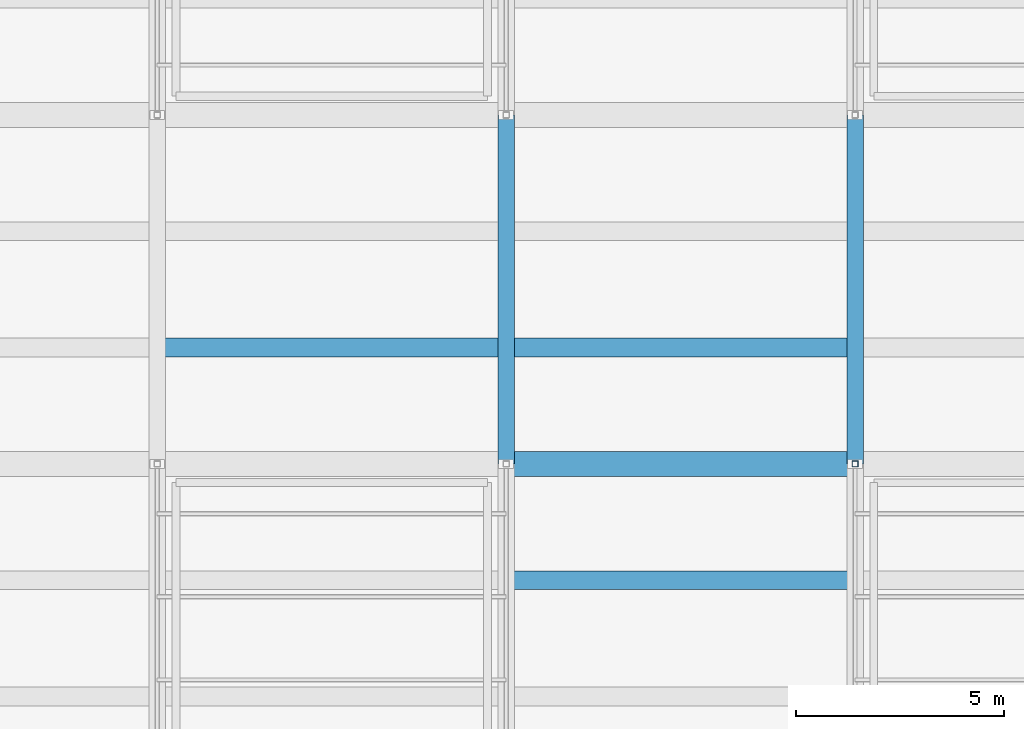
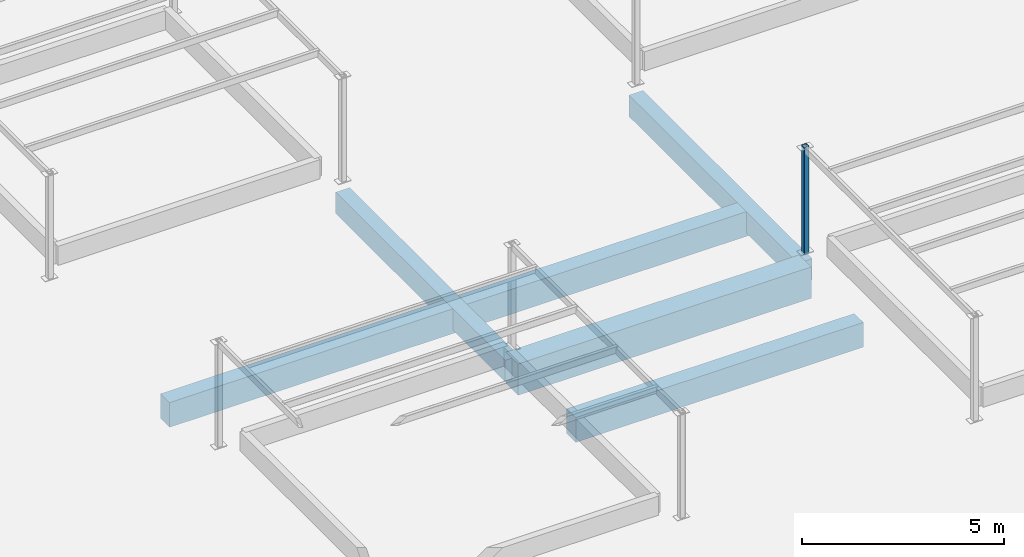
# One storey, part 18 of 129: 6 beams, 1 member.
"""IFC4 building model written with IfcOpenShell, lengths in metres."""

from ifc_helpers import new_model, si_unit, direction, frame, origin, origin_2d, place, context, subcontext, project, spatial, rectangle, hollow_rectangle, extrude, material, material_profile, profile_set, type_object, element, save


model = new_model("IFC4")

# Units and contexts
model_context = context("Model", 3, precision=1e-05, world=origin(), true_north=direction((0.0, 1.0)))
body_context = subcontext(model_context, "Body", "Model", "MODEL_VIEW")
ifc_project = project(units=[si_unit("LENGTHUNIT", "METRE"), si_unit("AREAUNIT", "SQUARE_METRE"), si_unit("VOLUMEUNIT", "CUBIC_METRE"), si_unit("PLANEANGLEUNIT", "RADIAN"), si_unit("MASSUNIT", "GRAM", prefix="KILO")], contexts=[model_context])

# Site, building, storey
site_placement = place(None, origin())
site = spatial("IfcSite", under=ifc_project, at=site_placement, CompositionType="ELEMENT")
building_placement = place(site_placement, origin())
building = spatial("IfcBuilding", under=site, at=building_placement, Name="Varnapada Polytechnic", CompositionType="ELEMENT")
storey_placement = place(building_placement, origin())
storey = spatial("IfcBuildingStorey", under=building, at=storey_placement, Name="L00", CompositionType="ELEMENT", Elevation=0.0)

# Beams
ifc_material_1 = material(Name="Concrete C40/50", Category="concrete")
ifc_material_profile_1 = material_profile(ifc_material_1, rectangle(XDim=0.449951171875, YDim=0.75, at=origin_2d()), Name="RC 450x750")
ifc_profile_set_1 = profile_set([ifc_material_profile_1], Name="Concrete C40/50")
beam_type_1 = type_object("IfcBeamType", Name="Basement/podium secondary beam BB-01 (RC 450x750)", PredefinedType="BEAM", material=ifc_profile_set_1)
beam_1_placement = place(storey_placement, frame((92.47998046875, 61.60009765625, -0.655029296875), z_axis=(1.0, 0.0, 0.0), x_axis=(0.0, 1.0, 0.0)))
element("IfcBeam", 1, at=beam_1_placement, inside=storey, type_object=beam_type_1, Name="L00 floor joist 12/8.1", PredefinedType="BEAM", context=body_context, shape_type="SweptSolid", body=[
    extrude(rectangle(XDim=0.449951171875, YDim=0.75, at=origin_2d()), origin(), (0.0, 0.0, 1.0), 8.239990234375),
])
for number, where, z_axis, x_axis, name in (
    (2, (100.8798828125, 56.0, -0.655029296875), (1.0, 0.0, 0.0), (0.0, 1.0, 0.0), "L00 floor joist 13/7.2"),
    (3, (100.8798828125, 61.60009765625, -0.655029296875), (1.0, 0.0, 0.0), (0.0, 1.0, 0.0), "L00 floor joist 13/8.1"),
):
    element("IfcBeam", number, at=place(storey_placement, frame(where, z_axis=z_axis, x_axis=x_axis)), inside=storey, type_object=beam_type_1, Name=name, PredefinedType="BEAM", context=body_context, shape_type="SweptSolid", body=[
        extrude(rectangle(XDim=0.449951171875, YDim=0.75, at=origin_2d()), origin(), (0.0, 0.0, 1.0), 8.240234375),
    ])
ifc_material_profile_2 = material_profile(ifc_material_1, rectangle(XDim=0.39990234375, YDim=0.64990234375, at=origin_2d()), Name="RC 400x650")
ifc_profile_set_2 = profile_set([ifc_material_profile_2], Name="Concrete C40/50")
beam_type_2 = type_object("IfcBeamType", Name="Podium framing beam BB-02 (RC 400x650)", PredefinedType="BEAM", material=ifc_profile_set_2)
for number, where, z_axis, x_axis, name in (
    (4, (100.800048828125, 58.800048828125, -0.60498046875), (0.0, 1.0, 0.0), (-1.0, 0.0, 0.0), "L00 beam Y 8-9 at X13"),
    (5, (109.199951171875, 58.800048828125, -0.60498046875), (0.0, 1.0, 0.0), (-1.0, 0.0, 0.0), "L00 beam Y 8-9 at X14"),
):
    element("IfcBeam", number, at=place(storey_placement, frame(where, z_axis=z_axis, x_axis=x_axis)), inside=storey, type_object=beam_type_2, Name=name, PredefinedType="BEAM", context=body_context, shape_type="SweptSolid", body=[
        extrude(rectangle(XDim=0.39990234375, YDim=0.64990234375, at=origin_2d()), origin(), (0.0, 0.0, 1.0), 8.39990234375),
    ])

# Member
ifc_material_2 = material(Name="Steel S355", Category="steel")
ifc_material_profile_3 = material_profile(ifc_material_2, hollow_rectangle(XDim=0.14990234375, YDim=0.14990234375, WallThickness=0.00634765625, InnerFilletRadius=0.006103515625, OuterFilletRadius=0.011962890625, at=origin_2d()), Name="SHS 150x150x6.3")
ifc_profile_set_3 = profile_set([ifc_material_profile_3], Name="Steel S355")
member_type = type_object("IfcMemberType", Name="Sawtooth north-light mullion post SFP-02 (SHS 150x150x6.3)", PredefinedType="POST", material=ifc_profile_set_3)
member_placement = place(storey_placement, frame((109.199951171875, 58.800048828125, -0.02001953125), z_axis=(0.0, 0.0, 1.0), x_axis=(1.0, 0.0, 0.0)))
element("IfcMember", 6, at=member_placement, inside=storey, type_object=member_type, Name="Courtyard planted garden trellis post CT-BED-3.1.2", PredefinedType="POST", context=body_context, shape_type="SweptSolid", body=[
    extrude(hollow_rectangle(XDim=0.14990234375, YDim=0.14990234375, WallThickness=0.00634765625, InnerFilletRadius=0.006103515625, OuterFilletRadius=0.011962890625, at=origin_2d()), origin(), (0.0, 0.0, 1.0), 3.239990234375),
])

# Beam
ifc_material_profile_4 = material_profile(ifc_material_1, rectangle(XDim=0.60009765625, YDim=0.949951171875, at=origin_2d()), Name="RC 600x950")
ifc_profile_set_4 = profile_set([ifc_material_profile_4], Name="Concrete C40/50")
beam_type_3 = type_object("IfcBeamType", Name="Workshop podium heavy girder BG-03 (RC 600x950)", PredefinedType="T_BEAM", material=ifc_profile_set_4)
beam_2_placement = place(storey_placement, frame((100.800048828125, 58.800048828125, -0.7548828125), z_axis=(1.0, 0.0, 0.0), x_axis=(0.0, 1.0, 0.0)))
element("IfcBeam", 7, at=beam_2_placement, inside=storey, type_object=beam_type_3, Name="L00 beam X 13-14 at Y8", PredefinedType="T_BEAM", context=body_context, shape_type="SweptSolid", body=[
    extrude(rectangle(XDim=0.60009765625, YDim=0.949951171875, at=origin_2d()), origin(), (0.0, 0.0, 1.0), 8.39990234375),
])

save(model, "model.ifc")
